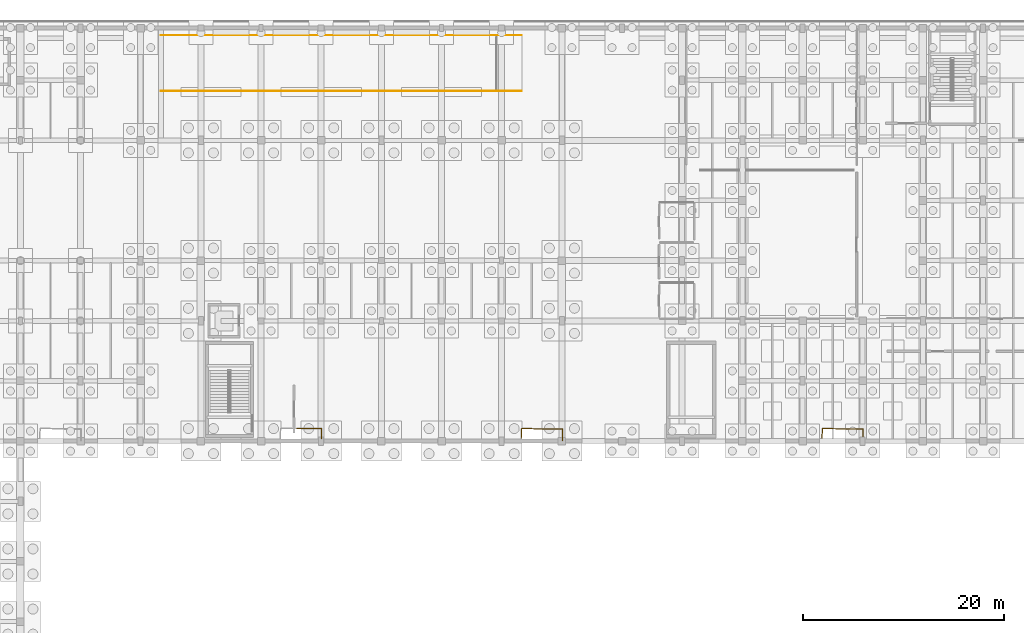
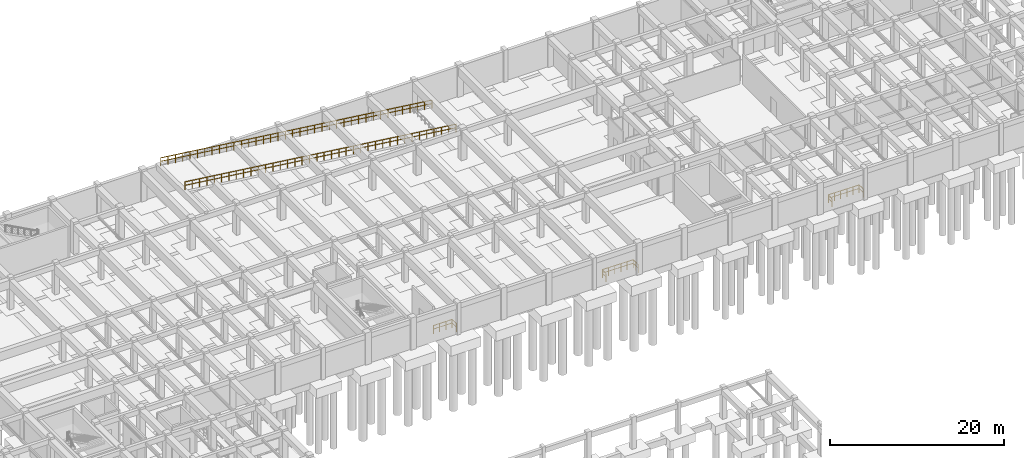
# One storey, part 28 of 32: 5 railings.
"""IFC4 building model written with IfcOpenShell, lengths in metres."""

from ifc_helpers import new_model, si_unit, direction, frame, origin, origin_2d, place, context, subcontext, project, spatial, circle, extrude, material, type_object, element, save


model = new_model("IFC4")

# Units and contexts
model_context = context("Model", 3, precision=1e-05, world=origin(), true_north=direction((0.0, 1.0)))
body_context = subcontext(model_context, "Body", "Model", "MODEL_VIEW")
ifc_project = project(units=[si_unit("LENGTHUNIT", "METRE"), si_unit("AREAUNIT", "SQUARE_METRE"), si_unit("VOLUMEUNIT", "CUBIC_METRE"), si_unit("PLANEANGLEUNIT", "RADIAN"), si_unit("MASSUNIT", "GRAM", prefix="KILO")], contexts=[model_context])

# Site, building, storey
site_placement = place(None, origin())
site = spatial("IfcSite", under=ifc_project, at=site_placement, CompositionType="ELEMENT")
building_placement = place(site_placement, origin())
building = spatial("IfcBuilding", under=site, at=building_placement, Name="Varnakota Square Police Headquarters", CompositionType="ELEMENT")
storey_placement = place(building_placement, frame((0.0, 0.0, -4.5)))
storey = spatial("IfcBuildingStorey", under=building, at=storey_placement, Name="B1", CompositionType="ELEMENT", Elevation=-4.5)

# Railings
ifc_material = material(Name="Galvanised Powder-Coated Steel Guardrail", Category="steel")
railing_type = type_object("IfcRailingType", Name="RL-BAL-1150", PredefinedType="BALUSTRADE", material=ifc_material)
railing_1_placement = place(storey_placement, frame((92.0, 103.919921875, 0.0)))
element("IfcRailing", 1, at=railing_1_placement, inside=storey, type_object=railing_type, Name="Vehicle ramp safety guard S", PredefinedType="BALUSTRADE", context=body_context, shape_type="SweptSolid", body=[
    extrude(circle(Radius=0.02392578125, at=origin_2d()), frame((0.0, 0.0, 1.1259765625), z_axis=(-0.992277876714, 0.0, 0.124034734589), x_axis=(0.0, -1.0, 0.0)), (0.0, 0.0, 1.0), 36.2802734375),
    extrude(circle(Radius=0.01806640625, at=origin_2d()), frame((0.0, 0.0, 0.63232421875), z_axis=(-0.992277876714, 0.0, 0.124034734589), x_axis=(0.0, -1.0, 0.0)), (0.0, 0.0, 1.0), 36.2802734375),
    extrude(circle(Radius=0.02099609375, at=origin_2d()), origin(), (0.0, 0.0, 1.0), 1.101806640625),
    extrude(circle(Radius=0.02099609375, at=origin_2d()), frame((-0.972900390625, 0.0, 0.12158203125)), (0.0, 0.0, 1.0), 1.101806640625),
    extrude(circle(Radius=0.02099609375, at=origin_2d()), frame((-1.946044921875, 0.0, 0.2431640625)), (0.0, 0.0, 1.0), 1.101806640625),
    extrude(circle(Radius=0.02099609375, at=origin_2d()), frame((-2.9189453125, 0.0, 0.36474609375)), (0.0, 0.0, 1.0), 1.101806640625),
    extrude(circle(Radius=0.02099609375, at=origin_2d()), frame((-3.891845703125, 0.0, 0.486572265625)), (0.0, 0.0, 1.0), 1.101806640625),
    extrude(circle(Radius=0.02099609375, at=origin_2d()), frame((-4.86474609375, 0.0, 0.608154296875)), (0.0, 0.0, 1.0), 1.101806640625),
    extrude(circle(Radius=0.02099609375, at=origin_2d()), frame((-5.837890625, 0.0, 0.729736328125)), (0.0, 0.0, 1.0), 1.101806640625),
    extrude(circle(Radius=0.02099609375, at=origin_2d()), frame((-6.810791015625, 0.0, 0.851318359375)), (0.0, 0.0, 1.0), 1.101806640625),
    extrude(circle(Radius=0.02099609375, at=origin_2d()), frame((-7.78369140625, 0.0, 0.972900390625)), (0.0, 0.0, 1.0), 1.101806640625),
    extrude(circle(Radius=0.02099609375, at=origin_2d()), frame((-8.7568359375, 0.0, 1.094482421875)), (0.0, 0.0, 1.0), 1.101806640625),
    extrude(circle(Radius=0.02099609375, at=origin_2d()), frame((-9.729736328125, 0.0, 1.21630859375)), (0.0, 0.0, 1.0), 1.101806640625),
    extrude(circle(Radius=0.02099609375, at=origin_2d()), frame((-10.70263671875, 0.0, 1.337890625)), (0.0, 0.0, 1.0), 1.101806640625),
    extrude(circle(Radius=0.02099609375, at=origin_2d()), frame((-11.67578125, 0.0, 1.45947265625)), (0.0, 0.0, 1.0), 1.101806640625),
    extrude(circle(Radius=0.02099609375, at=origin_2d()), frame((-12.648681640625, 0.0, 1.5810546875)), (0.0, 0.0, 1.0), 1.101806640625),
    extrude(circle(Radius=0.02099609375, at=origin_2d()), frame((-13.62158203125, 0.0, 1.70263671875)), (0.0, 0.0, 1.0), 1.101806640625),
    extrude(circle(Radius=0.02099609375, at=origin_2d()), frame((-14.594482421875, 0.0, 1.82421875)), (0.0, 0.0, 1.0), 1.101806640625),
    extrude(circle(Radius=0.02099609375, at=origin_2d()), frame((-15.567626953125, 0.0, 1.946044921875)), (0.0, 0.0, 1.0), 1.101806640625),
    extrude(circle(Radius=0.02099609375, at=origin_2d()), frame((-16.54052734375, 0.0, 2.067626953125)), (0.0, 0.0, 1.0), 1.101806640625),
    extrude(circle(Radius=0.02099609375, at=origin_2d()), frame((-17.513427734375, 0.0, 2.189208984375)), (0.0, 0.0, 1.0), 1.101806640625),
    extrude(circle(Radius=0.02099609375, at=origin_2d()), frame((-18.486572265625, 0.0, 2.310791015625)), (0.0, 0.0, 1.0), 1.101806640625),
    extrude(circle(Radius=0.02099609375, at=origin_2d()), frame((-19.45947265625, 0.0, 2.432373046875)), (0.0, 0.0, 1.0), 1.101806640625),
    extrude(circle(Radius=0.02099609375, at=origin_2d()), frame((-20.432373046875, 0.0, 2.553955078125)), (0.0, 0.0, 1.0), 1.101806640625),
    extrude(circle(Radius=0.02099609375, at=origin_2d()), frame((-21.405517578125, 0.0, 2.67578125)), (0.0, 0.0, 1.0), 1.101806640625),
    extrude(circle(Radius=0.02099609375, at=origin_2d()), frame((-22.37841796875, 0.0, 2.79736328125)), (0.0, 0.0, 1.0), 1.101806640625),
    extrude(circle(Radius=0.02099609375, at=origin_2d()), frame((-23.351318359375, 0.0, 2.9189453125)), (0.0, 0.0, 1.0), 1.101806640625),
    extrude(circle(Radius=0.02099609375, at=origin_2d()), frame((-24.32421875, 0.0, 3.04052734375)), (0.0, 0.0, 1.0), 1.101806640625),
    extrude(circle(Radius=0.02099609375, at=origin_2d()), frame((-25.29736328125, 0.0, 3.162109375)), (0.0, 0.0, 1.0), 1.101806640625),
    extrude(circle(Radius=0.02099609375, at=origin_2d()), frame((-26.270263671875, 0.0, 3.28369140625)), (0.0, 0.0, 1.0), 1.101806640625),
    extrude(circle(Radius=0.02099609375, at=origin_2d()), frame((-27.2431640625, 0.0, 3.405517578125)), (0.0, 0.0, 1.0), 1.101806640625),
    extrude(circle(Radius=0.02099609375, at=origin_2d()), frame((-28.21630859375, 0.0, 3.527099609375)), (0.0, 0.0, 1.0), 1.101806640625),
    extrude(circle(Radius=0.02099609375, at=origin_2d()), frame((-29.189208984375, 0.0, 3.648681640625)), (0.0, 0.0, 1.0), 1.101806640625),
    extrude(circle(Radius=0.02099609375, at=origin_2d()), frame((-30.162109375, 0.0, 3.770263671875)), (0.0, 0.0, 1.0), 1.101806640625),
    extrude(circle(Radius=0.02099609375, at=origin_2d()), frame((-31.13525390625, 0.0, 3.891845703125)), (0.0, 0.0, 1.0), 1.101806640625),
    extrude(circle(Radius=0.02099609375, at=origin_2d()), frame((-32.108154296875, 0.0, 4.013427734375)), (0.0, 0.0, 1.0), 1.101806640625),
    extrude(circle(Radius=0.02099609375, at=origin_2d()), frame((-33.0810546875, 0.0, 4.13525390625)), (0.0, 0.0, 1.0), 1.101806640625),
    extrude(circle(Radius=0.02099609375, at=origin_2d()), frame((-34.053955078125, 0.0, 4.2568359375)), (0.0, 0.0, 1.0), 1.101806640625),
    extrude(circle(Radius=0.02099609375, at=origin_2d()), frame((-35.027099609375, 0.0, 4.37841796875)), (0.0, 0.0, 1.0), 1.101806640625),
    extrude(circle(Radius=0.02099609375, at=origin_2d()), frame((-36.0, 0.0, 4.5)), (0.0, 0.0, 1.0), 1.101806640625),
])
railing_2_placement = place(storey_placement, frame((92.0, 109.47998046875, 0.0)))
element("IfcRailing", 2, at=railing_2_placement, inside=storey, type_object=railing_type, Name="Vehicle ramp safety guard N", PredefinedType="BALUSTRADE", context=body_context, shape_type="SweptSolid", body=[
    extrude(circle(Radius=0.02392578125, at=origin_2d()), frame((0.0, 0.0, 1.1259765625), z_axis=(-0.992277876714, 0.0, 0.124034734589), x_axis=(0.0, -1.0, 0.0)), (0.0, 0.0, 1.0), 36.2802734375),
    extrude(circle(Radius=0.01806640625, at=origin_2d()), frame((0.0, 0.0, 0.63232421875), z_axis=(-0.992277876714, 0.0, 0.124034734589), x_axis=(0.0, -1.0, 0.0)), (0.0, 0.0, 1.0), 36.2802734375),
    extrude(circle(Radius=0.02099609375, at=origin_2d()), origin(), (0.0, 0.0, 1.0), 1.101806640625),
    extrude(circle(Radius=0.02099609375, at=origin_2d()), frame((-0.972900390625, 0.0, 0.12158203125)), (0.0, 0.0, 1.0), 1.101806640625),
    extrude(circle(Radius=0.02099609375, at=origin_2d()), frame((-1.946044921875, 0.0, 0.2431640625)), (0.0, 0.0, 1.0), 1.101806640625),
    extrude(circle(Radius=0.02099609375, at=origin_2d()), frame((-2.9189453125, 0.0, 0.36474609375)), (0.0, 0.0, 1.0), 1.101806640625),
    extrude(circle(Radius=0.02099609375, at=origin_2d()), frame((-3.891845703125, 0.0, 0.486572265625)), (0.0, 0.0, 1.0), 1.101806640625),
    extrude(circle(Radius=0.02099609375, at=origin_2d()), frame((-4.86474609375, 0.0, 0.608154296875)), (0.0, 0.0, 1.0), 1.101806640625),
    extrude(circle(Radius=0.02099609375, at=origin_2d()), frame((-5.837890625, 0.0, 0.729736328125)), (0.0, 0.0, 1.0), 1.101806640625),
    extrude(circle(Radius=0.02099609375, at=origin_2d()), frame((-6.810791015625, 0.0, 0.851318359375)), (0.0, 0.0, 1.0), 1.101806640625),
    extrude(circle(Radius=0.02099609375, at=origin_2d()), frame((-7.78369140625, 0.0, 0.972900390625)), (0.0, 0.0, 1.0), 1.101806640625),
    extrude(circle(Radius=0.02099609375, at=origin_2d()), frame((-8.7568359375, 0.0, 1.094482421875)), (0.0, 0.0, 1.0), 1.101806640625),
    extrude(circle(Radius=0.02099609375, at=origin_2d()), frame((-9.729736328125, 0.0, 1.21630859375)), (0.0, 0.0, 1.0), 1.101806640625),
    extrude(circle(Radius=0.02099609375, at=origin_2d()), frame((-10.70263671875, 0.0, 1.337890625)), (0.0, 0.0, 1.0), 1.101806640625),
    extrude(circle(Radius=0.02099609375, at=origin_2d()), frame((-11.67578125, 0.0, 1.45947265625)), (0.0, 0.0, 1.0), 1.101806640625),
    extrude(circle(Radius=0.02099609375, at=origin_2d()), frame((-12.648681640625, 0.0, 1.5810546875)), (0.0, 0.0, 1.0), 1.101806640625),
    extrude(circle(Radius=0.02099609375, at=origin_2d()), frame((-13.62158203125, 0.0, 1.70263671875)), (0.0, 0.0, 1.0), 1.101806640625),
    extrude(circle(Radius=0.02099609375, at=origin_2d()), frame((-14.594482421875, 0.0, 1.82421875)), (0.0, 0.0, 1.0), 1.101806640625),
    extrude(circle(Radius=0.02099609375, at=origin_2d()), frame((-15.567626953125, 0.0, 1.946044921875)), (0.0, 0.0, 1.0), 1.101806640625),
    extrude(circle(Radius=0.02099609375, at=origin_2d()), frame((-16.54052734375, 0.0, 2.067626953125)), (0.0, 0.0, 1.0), 1.101806640625),
    extrude(circle(Radius=0.02099609375, at=origin_2d()), frame((-17.513427734375, 0.0, 2.189208984375)), (0.0, 0.0, 1.0), 1.101806640625),
    extrude(circle(Radius=0.02099609375, at=origin_2d()), frame((-18.486572265625, 0.0, 2.310791015625)), (0.0, 0.0, 1.0), 1.101806640625),
    extrude(circle(Radius=0.02099609375, at=origin_2d()), frame((-19.45947265625, 0.0, 2.432373046875)), (0.0, 0.0, 1.0), 1.101806640625),
    extrude(circle(Radius=0.02099609375, at=origin_2d()), frame((-20.432373046875, 0.0, 2.553955078125)), (0.0, 0.0, 1.0), 1.101806640625),
    extrude(circle(Radius=0.02099609375, at=origin_2d()), frame((-21.405517578125, 0.0, 2.67578125)), (0.0, 0.0, 1.0), 1.101806640625),
    extrude(circle(Radius=0.02099609375, at=origin_2d()), frame((-22.37841796875, 0.0, 2.79736328125)), (0.0, 0.0, 1.0), 1.101806640625),
    extrude(circle(Radius=0.02099609375, at=origin_2d()), frame((-23.351318359375, 0.0, 2.9189453125)), (0.0, 0.0, 1.0), 1.101806640625),
    extrude(circle(Radius=0.02099609375, at=origin_2d()), frame((-24.32421875, 0.0, 3.04052734375)), (0.0, 0.0, 1.0), 1.101806640625),
    extrude(circle(Radius=0.02099609375, at=origin_2d()), frame((-25.29736328125, 0.0, 3.162109375)), (0.0, 0.0, 1.0), 1.101806640625),
    extrude(circle(Radius=0.02099609375, at=origin_2d()), frame((-26.270263671875, 0.0, 3.28369140625)), (0.0, 0.0, 1.0), 1.101806640625),
    extrude(circle(Radius=0.02099609375, at=origin_2d()), frame((-27.2431640625, 0.0, 3.405517578125)), (0.0, 0.0, 1.0), 1.101806640625),
    extrude(circle(Radius=0.02099609375, at=origin_2d()), frame((-28.21630859375, 0.0, 3.527099609375)), (0.0, 0.0, 1.0), 1.101806640625),
    extrude(circle(Radius=0.02099609375, at=origin_2d()), frame((-29.189208984375, 0.0, 3.648681640625)), (0.0, 0.0, 1.0), 1.101806640625),
    extrude(circle(Radius=0.02099609375, at=origin_2d()), frame((-30.162109375, 0.0, 3.770263671875)), (0.0, 0.0, 1.0), 1.101806640625),
    extrude(circle(Radius=0.02099609375, at=origin_2d()), frame((-31.13525390625, 0.0, 3.891845703125)), (0.0, 0.0, 1.0), 1.101806640625),
    extrude(circle(Radius=0.02099609375, at=origin_2d()), frame((-32.108154296875, 0.0, 4.013427734375)), (0.0, 0.0, 1.0), 1.101806640625),
    extrude(circle(Radius=0.02099609375, at=origin_2d()), frame((-33.0810546875, 0.0, 4.13525390625)), (0.0, 0.0, 1.0), 1.101806640625),
    extrude(circle(Radius=0.02099609375, at=origin_2d()), frame((-34.053955078125, 0.0, 4.2568359375)), (0.0, 0.0, 1.0), 1.101806640625),
    extrude(circle(Radius=0.02099609375, at=origin_2d()), frame((-35.027099609375, 0.0, 4.37841796875)), (0.0, 0.0, 1.0), 1.101806640625),
    extrude(circle(Radius=0.02099609375, at=origin_2d()), frame((-36.0, 0.0, 4.5)), (0.0, 0.0, 1.0), 1.101806640625),
])
railing_3_placement = place(storey_placement, frame((126.050048828125, 69.259033203125, 0.0)))
element("IfcRailing", 3, at=railing_3_placement, inside=storey, type_object=railing_type, Name="Perimeter edge safety guard GD-AUTO-B1-005", PredefinedType="BALUSTRADE", context=body_context, shape_type="SweptSolid", body=[
    extrude(circle(Radius=0.02392578125, at=origin_2d()), frame((0.0, 0.0, 1.1259765625), z_axis=(-0.000258131122, 0.999999966684, 0.0), x_axis=(-0.999999966684, -0.000258131122, 0.0)), (0.0, 0.0, 1.0), 0.94580078125),
    extrude(circle(Radius=0.01806640625, at=origin_2d()), frame((0.0, 0.0, 0.63232421875), z_axis=(-0.000258131122, 0.999999966684, 0.0), x_axis=(-0.999999966684, -0.000258131122, 0.0)), (0.0, 0.0, 1.0), 0.94580078125),
    extrude(circle(Radius=0.02392578125, at=origin_2d()), frame((-0.000244140625, 0.94580078125, 1.1259765625), z_axis=(-0.999940760889, 0.010884608956, 0.0), x_axis=(-0.010884608956, -0.999940760889, 0.0)), (0.0, 0.0, 1.0), 4.059814453125),
    extrude(circle(Radius=0.01806640625, at=origin_2d()), frame((-0.000244140625, 0.94580078125, 0.63232421875), z_axis=(-0.999940760889, 0.010884608956, 0.0), x_axis=(-0.010884608956, -0.999940760889, 0.0)), (0.0, 0.0, 1.0), 4.059814453125),
    extrude(circle(Radius=0.02392578125, at=origin_2d()), frame((-4.059814453125, 0.989990234375, 1.1259765625), z_axis=(-0.04379428641, -0.999040569986, 0.0), x_axis=(0.999040569986, -0.04379428641, 0.0)), (0.0, 0.0, 1.0), 0.919921875),
    extrude(circle(Radius=0.01806640625, at=origin_2d()), frame((-4.059814453125, 0.989990234375, 0.63232421875), z_axis=(-0.04379428641, -0.999040569986, 0.0), x_axis=(0.999040569986, -0.04379428641, 0.0)), (0.0, 0.0, 1.0), 0.919921875),
    extrude(circle(Radius=0.02099609375, at=origin_2d()), origin(), (0.0, 0.0, 1.0), 1.101806640625),
    extrude(circle(Radius=0.02099609375, at=origin_2d()), frame((-0.000244140625, 0.94580078125, 0.0)), (0.0, 0.0, 1.0), 1.101806640625),
    extrude(circle(Radius=0.02099609375, at=origin_2d()), frame((-0.812255859375, 0.95458984375, 0.0)), (0.0, 0.0, 1.0), 1.101806640625),
    extrude(circle(Radius=0.02099609375, at=origin_2d()), frame((-1.6240234375, 0.96337890625, 0.0)), (0.0, 0.0, 1.0), 1.101806640625),
    extrude(circle(Radius=0.02099609375, at=origin_2d()), frame((-2.43603515625, 0.972412109375, 0.0)), (0.0, 0.0, 1.0), 1.101806640625),
    extrude(circle(Radius=0.02099609375, at=origin_2d()), frame((-3.247802734375, 0.981201171875, 0.0)), (0.0, 0.0, 1.0), 1.101806640625),
    extrude(circle(Radius=0.02099609375, at=origin_2d()), frame((-4.059814453125, 0.989990234375, 0.0)), (0.0, 0.0, 1.0), 1.101806640625),
    extrude(circle(Radius=0.02099609375, at=origin_2d()), frame((-4.10009765625, 0.071044921875, 0.0)), (0.0, 0.0, 1.0), 1.101806640625),
])
railing_4_placement = place(storey_placement, frame((96.05322265625, 69.050048828125, 0.0)))
element("IfcRailing", 4, at=railing_4_placement, inside=storey, type_object=railing_type, Name="Perimeter edge safety guard GD-AUTO-B1-006", PredefinedType="BALUSTRADE", context=body_context, shape_type="SweptSolid", body=[
    extrude(circle(Radius=0.02392578125, at=origin_2d()), frame((0.0, 0.0, 1.1259765625), z_axis=(-0.002760074412, 0.999996190987, 0.0), x_axis=(-0.999996190987, -0.002760074412, 0.0)), (0.0, 0.0, 1.0), 1.14990234375),
    extrude(circle(Radius=0.01806640625, at=origin_2d()), frame((0.0, 0.0, 0.63232421875), z_axis=(-0.002760074412, 0.999996190987, 0.0), x_axis=(-0.999996190987, -0.002760074412, 0.0)), (0.0, 0.0, 1.0), 1.14990234375),
    extrude(circle(Radius=0.02392578125, at=origin_2d()), frame((-0.003173828125, 1.14990234375, 1.1259765625), z_axis=(-0.999926956384, 0.012086434436, 0.0), x_axis=(-0.012086434436, -0.999926956384, 0.0)), (0.0, 0.0, 1.0), 4.06005859375),
    extrude(circle(Radius=0.01806640625, at=origin_2d()), frame((-0.003173828125, 1.14990234375, 0.63232421875), z_axis=(-0.999926956384, 0.012086434436, 0.0), x_axis=(-0.012086434436, -0.999926956384, 0.0)), (0.0, 0.0, 1.0), 4.06005859375),
    extrude(circle(Radius=0.02392578125, at=origin_2d()), frame((-4.06298828125, 1.198974609375, 1.1259765625), z_axis=(-0.04379428641, -0.999040569986, 0.0), x_axis=(0.999040569986, -0.04379428641, 0.0)), (0.0, 0.0, 1.0), 0.919921875),
    extrude(circle(Radius=0.01806640625, at=origin_2d()), frame((-4.06298828125, 1.198974609375, 0.63232421875), z_axis=(-0.04379428641, -0.999040569986, 0.0), x_axis=(0.999040569986, -0.04379428641, 0.0)), (0.0, 0.0, 1.0), 0.919921875),
    extrude(circle(Radius=0.02099609375, at=origin_2d()), origin(), (0.0, 0.0, 1.0), 1.101806640625),
    extrude(circle(Radius=0.02099609375, at=origin_2d()), frame((-0.00146484375, 0.574951171875, 0.0)), (0.0, 0.0, 1.0), 1.101806640625),
    extrude(circle(Radius=0.02099609375, at=origin_2d()), frame((-0.003173828125, 1.14990234375, 0.0)), (0.0, 0.0, 1.0), 1.101806640625),
    extrude(circle(Radius=0.02099609375, at=origin_2d()), frame((-0.815185546875, 1.15966796875, 0.0)), (0.0, 0.0, 1.0), 1.101806640625),
    extrude(circle(Radius=0.02099609375, at=origin_2d()), frame((-1.627197265625, 1.16943359375, 0.0)), (0.0, 0.0, 1.0), 1.101806640625),
    extrude(circle(Radius=0.02099609375, at=origin_2d()), frame((-2.43896484375, 1.179443359375, 0.0)), (0.0, 0.0, 1.0), 1.101806640625),
    extrude(circle(Radius=0.02099609375, at=origin_2d()), frame((-3.2509765625, 1.189208984375, 0.0)), (0.0, 0.0, 1.0), 1.101806640625),
    extrude(circle(Radius=0.02099609375, at=origin_2d()), frame((-4.06298828125, 1.198974609375, 0.0)), (0.0, 0.0, 1.0), 1.101806640625),
    extrude(circle(Radius=0.02099609375, at=origin_2d()), frame((-4.103271484375, 0.280029296875, 0.0)), (0.0, 0.0, 1.0), 1.101806640625),
])
railing_5_placement = place(storey_placement, frame((72.050048828125, 69.259033203125, 0.0)))
element("IfcRailing", 5, at=railing_5_placement, inside=storey, type_object=railing_type, Name="Perimeter edge safety guard GD-AUTO-B1-007", PredefinedType="BALUSTRADE", context=body_context, shape_type="SweptSolid", body=[
    extrude(circle(Radius=0.02392578125, at=origin_2d()), frame((0.0, 0.0, 1.1259765625), z_axis=(-0.03139683125, 0.999506997968, 0.0), x_axis=(-0.999506997968, -0.03139683125, 0.0)), (0.0, 0.0, 1.0), 0.987548828125),
    extrude(circle(Radius=0.01806640625, at=origin_2d()), frame((0.0, 0.0, 0.63232421875), z_axis=(-0.03139683125, 0.999506997968, 0.0), x_axis=(-0.999506997968, -0.03139683125, 0.0)), (0.0, 0.0, 1.0), 0.987548828125),
    extrude(circle(Radius=0.02392578125, at=origin_2d()), frame((-0.031005859375, 0.987060546875, 1.1259765625), z_axis=(-0.999998738237, 0.001588560347, 0.0), x_axis=(-0.001588560347, -0.999998738237, 0.0)), (0.0, 0.0, 1.0), 2.458984375),
    extrude(circle(Radius=0.01806640625, at=origin_2d()), frame((-0.031005859375, 0.987060546875, 0.63232421875), z_axis=(-0.999998738237, 0.001588560347, 0.0), x_axis=(-0.001588560347, -0.999998738237, 0.0)), (0.0, 0.0, 1.0), 2.458984375),
    extrude(circle(Radius=0.02099609375, at=origin_2d()), origin(), (0.0, 0.0, 1.0), 1.101806640625),
    extrude(circle(Radius=0.02099609375, at=origin_2d()), frame((-0.031005859375, 0.987060546875, 0.0)), (0.0, 0.0, 1.0), 1.101806640625),
    extrude(circle(Radius=0.02099609375, at=origin_2d()), frame((-0.8505859375, 0.98828125, 0.0)), (0.0, 0.0, 1.0), 1.101806640625),
    extrude(circle(Radius=0.02099609375, at=origin_2d()), frame((-1.67041015625, 0.98974609375, 0.0)), (0.0, 0.0, 1.0), 1.101806640625),
    extrude(circle(Radius=0.02099609375, at=origin_2d()), frame((-2.489990234375, 0.990966796875, 0.0)), (0.0, 0.0, 1.0), 1.101806640625),
])

save(model, "model.ifc")
